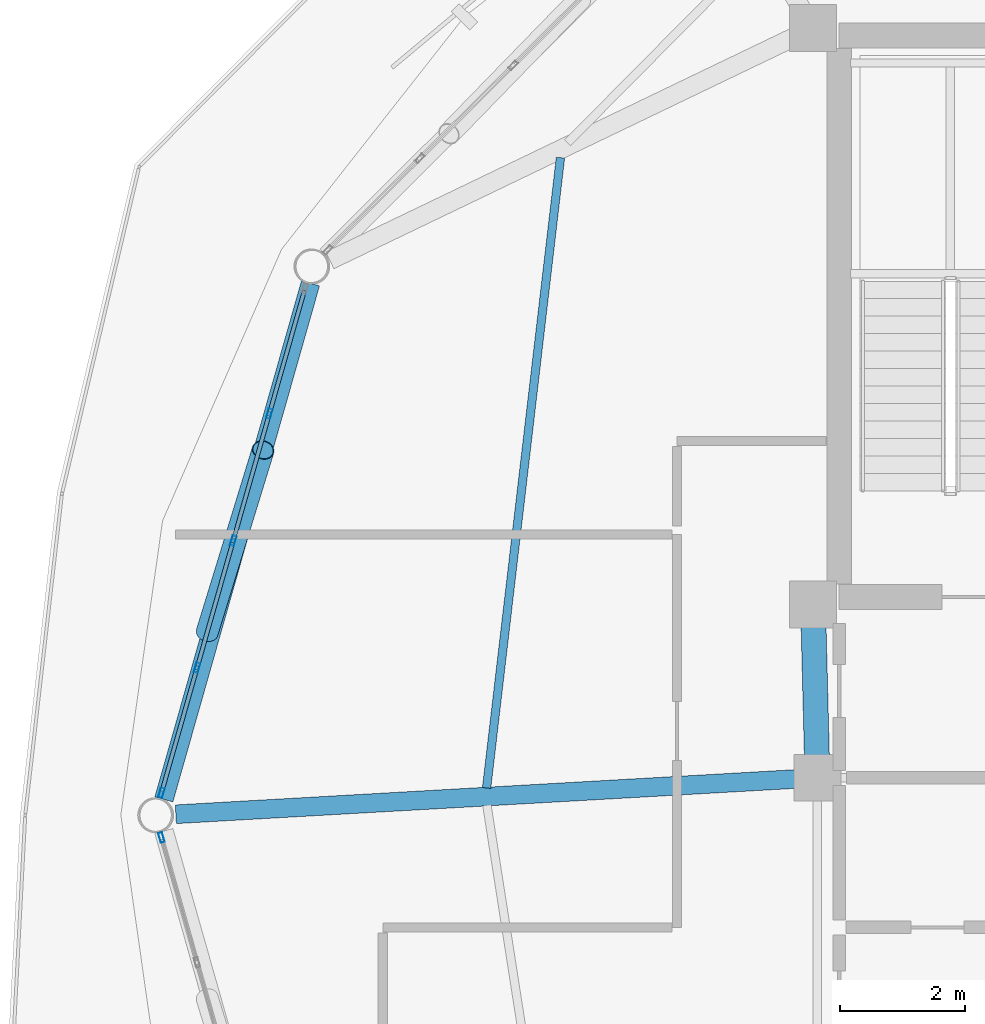
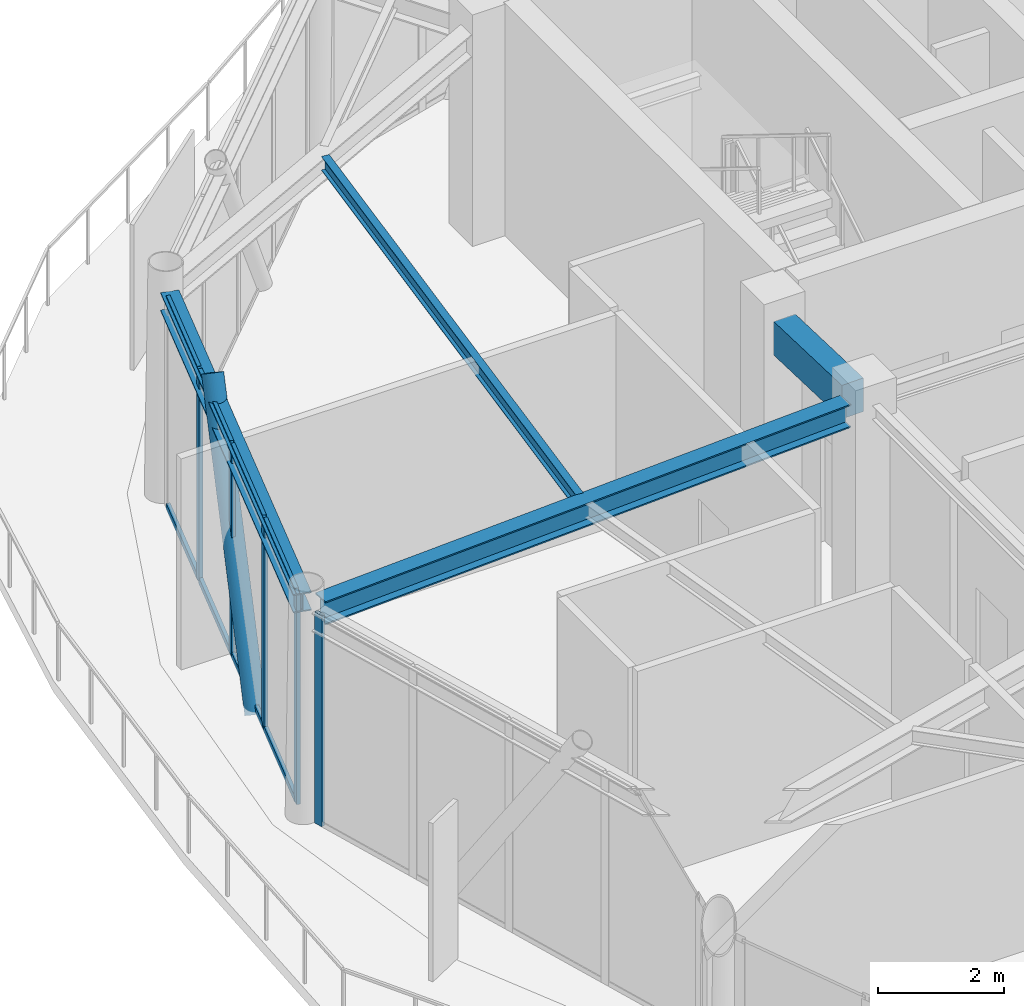
# One storey, part 10 of 24: 14 members, 4 beams, 2 elements without a shape of their own.
"""IFC4 building model written with IfcOpenShell, lengths in metres."""

from ifc_helpers import new_model, si_unit, direction, frame, origin, origin_2d, place, context, subcontext, project, spatial, rectangle, hollow_rectangle, hollow_circle, i_section, extrude, material, layer, layer_set, material_profile, profile_set, type_object, element, aggregate, save


model = new_model("IFC4")

# Units and contexts
model_context = context("Model", 3, precision=1e-05, world=origin(), true_north=direction((0.0, 1.0)))
body_context = subcontext(model_context, "Body", "Model", "MODEL_VIEW")
ifc_project = project(units=[si_unit("LENGTHUNIT", "METRE"), si_unit("AREAUNIT", "SQUARE_METRE"), si_unit("VOLUMEUNIT", "CUBIC_METRE"), si_unit("PLANEANGLEUNIT", "RADIAN"), si_unit("MASSUNIT", "GRAM", prefix="KILO")], contexts=[model_context])

# Site, building, storey
site_placement = place(None, origin())
site = spatial("IfcSite", under=ifc_project, at=site_placement, CompositionType="ELEMENT")
building_placement = place(site_placement, origin())
building = spatial("IfcBuilding", under=site, at=building_placement, Name="Varnakorn Sky Granary", CompositionType="ELEMENT")
storey_placement = place(building_placement, frame((0.0, 0.0, 285.0)))
storey = spatial("IfcBuildingStorey", under=building, at=storey_placement, Name="L73", CompositionType="ELEMENT", Elevation=285.0)

# Beams
ifc_material_1 = material(Name="Concrete C50/60", Category="concrete")
ifc_material_profile_1 = material_profile(ifc_material_1, rectangle(XDim=0.39990234375, YDim=0.64990234375, at=origin_2d()), Name="RC 400x650")
ifc_profile_set_1 = profile_set([ifc_material_profile_1], Name="Concrete C50/60")
beam_type_1 = type_object("IfcBeamType", Name="BM-LIN-650", PredefinedType="LINTEL", material=ifc_profile_set_1)
beam_1_placement = place(storey_placement, frame((-2.4111328125, 3.025146484375, 3.7548828125), z_axis=(0.025227817192, -0.999681727971, 0.0), x_axis=(0.999681727971, 0.025227817192, 0.0)))
element("IfcBeam", 1, at=beam_1_placement, inside=storey, type_object=beam_type_1, Name="Core Spine Framing Beam 1 L73", PredefinedType="LINTEL", context=body_context, shape_type="SweptSolid", body=[
    extrude(rectangle(XDim=0.39990234375, YDim=0.64990234375, at=origin_2d()), origin(), (0.0, 0.0, 1.0), 2.071044921875),
])
ifc_material_2 = material(Name="Steel S355JR", Category="steel")
ifc_material_profile_2 = material_profile(ifc_material_2, i_section(OverallWidth=0.300048828125, OverallDepth=0.449951171875, WebThickness=0.013916015625, FlangeThickness=0.02587890625, at=origin_2d()), Name="HE 450 B")
ifc_profile_set_2 = profile_set([ifc_material_profile_2], Name="Steel S355JR")
beam_type_2 = type_object("IfcBeamType", Name="BM-RAD-Z5", PredefinedType="BEAM", material=ifc_profile_set_2)
beam_2_placement = place(storey_placement, frame((-2.704345703125, 0.579833984375, 3.85498046875), z_axis=(-0.99838607831, -0.056791184494, 0.0), x_axis=(0.056791184494, -0.99838607831, 0.0)))
element("IfcBeam", 2, at=beam_2_placement, inside=storey, type_object=beam_type_2, Name="Radial Floor Girder RG07 L73", PredefinedType="BEAM", context=body_context, shape_type="SweptSolid", body=[
    extrude(i_section(OverallWidth=0.300048828125, OverallDepth=0.449951171875, WebThickness=0.013916015625, FlangeThickness=0.02587890625, at=origin_2d()), origin(), (0.0, 0.0, 1.0), 9.94775390625),
])
ifc_material_profile_3 = material_profile(ifc_material_2, i_section(OverallWidth=0.135009765625, OverallDepth=0.27001953125, WebThickness=0.006591796875, FlangeThickness=0.01025390625, at=origin_2d()), Name="IPE 270")
ifc_profile_set_3 = profile_set([ifc_material_profile_3], Name="Steel S355JR")
beam_type_3 = type_object("IfcBeamType", Name="BM-SEC-Z5", PredefinedType="BEAM", material=ifc_profile_set_3)
beam_3_placement = place(storey_placement, frame((-6.469482421875, 10.54248046875, 3.945068359375), z_axis=(-0.116391586071, -0.993203402477, 0.0), x_axis=(0.993203402477, -0.116391586071, 0.0)))
element("IfcBeam", 3, at=beam_3_placement, inside=storey, type_object=beam_type_3, Name="Secondary Floor Chord Beam MSB06 L73", PredefinedType="BEAM", context=body_context, shape_type="SweptSolid", body=[
    extrude(i_section(OverallWidth=0.135009765625, OverallDepth=0.27001953125, WebThickness=0.006591796875, FlangeThickness=0.01025390625, at=origin_2d()), origin(), (0.0, 0.0, 1.0), 10.17529296875),
])
ifc_material_profile_4 = material_profile(ifc_material_2, i_section(OverallWidth=0.300048828125, OverallDepth=0.360107421875, WebThickness=0.012451171875, FlangeThickness=0.0224609375, at=origin_2d()), Name="HE 360 B")
ifc_profile_set_4 = profile_set([ifc_material_profile_4], Name="Steel S355JR")
beam_type_4 = type_object("IfcBeamType", Name="BM-SPD-Z5", PredefinedType="SPANDREL", material=ifc_profile_set_4)
beam_4_placement = place(storey_placement, frame((-10.477294921875, 8.528076171875, 3.89990234375), z_axis=(-0.273262465219, -0.961939512185, 0.0), x_axis=(0.961939512185, -0.273262465219, 0.0)))
element("IfcBeam", 4, at=beam_4_placement, inside=storey, type_object=beam_type_4, Name="Perimeter Spandrel Ring Beam RB06 L73", PredefinedType="SPANDREL", context=body_context, shape_type="SweptSolid", body=[
    extrude(i_section(OverallWidth=0.300048828125, OverallDepth=0.360107421875, WebThickness=0.012451171875, FlangeThickness=0.0224609375, at=origin_2d()), origin(), (0.0, 0.0, 1.0), 8.60107421875),
])

# Curtain wall, members
ifc_material_3 = material(Name="Anodised Bronze Aluminium Alloy 6063-T6", Category="aluminium")
ifc_layer = layer(ifc_material_3, 0.159912109375, Name="Anodised Bronze Aluminium Alloy 6063-T6")
ifc_layer_set = layer_set([ifc_layer], Name="Anodised Bronze Aluminium Alloy 6063-T6")
curtain_wall_type = type_object("IfcCurtainWallType", Name="CW-OFF-1", PredefinedType="USERDEFINED", material=ifc_layer_set)
curtain_wall_1_placement = place(storey_placement, origin())
curtain_wall_1 = element("IfcCurtainWall", 5, at=curtain_wall_1_placement, inside=storey, type_object=curtain_wall_type, Name="Unitised Curtain Wall CW6 CW-L73-B06", ObjectType="CURTAIN WALL", PredefinedType="USERDEFINED")
ifc_material_profile_5 = material_profile(ifc_material_3, hollow_rectangle(XDim=0.06494140625, YDim=0.159912109375, WallThickness=0.00341796875, at=origin_2d()), Name="ALU MULL 65x160")
ifc_profile_set_5 = profile_set([ifc_material_profile_5], Name="Anodised Bronze Aluminium Alloy 6063-T6")
member_type_1 = type_object("IfcMemberType", Name="CW-OFF-1-MULL", PredefinedType="MULLION", material=ifc_profile_set_5)
member_1_placement = place(storey_placement, frame((-12.8662109375, 0.357666015625, 0.0), z_axis=(0.0, 0.0, 1.0), x_axis=(-0.96181256174, 0.273708962366, 0.0)))
member_1 = element("IfcMember", 6, at=member_1_placement, type_object=member_type_1, Name="CW6 mullion 1", PredefinedType="MULLION", context=body_context, shape_type="SweptSolid", body=[
    extrude(hollow_rectangle(XDim=0.06494140625, YDim=0.159912109375, WallThickness=0.00341796875, at=origin_2d()), origin(), (0.0, 0.0, 1.0), 4.080078125),
])
member_2_placement = place(storey_placement, frame((-12.29541015625, 2.363037109375, 0.0), z_axis=(0.0, 0.0, 1.0), x_axis=(-0.96181256174, 0.273708962366, 0.0)))
member_2 = element("IfcMember", 7, at=member_2_placement, type_object=member_type_1, Name="CW6 mullion 2", PredefinedType="MULLION", context=body_context, shape_type="SweptSolid", body=[
    extrude(hollow_rectangle(XDim=0.06494140625, YDim=0.159912109375, WallThickness=0.00341796875, at=origin_2d()), origin(), (0.0, 0.0, 1.0), 4.080078125),
])
member_3_placement = place(storey_placement, frame((-11.716064453125, 4.399658203125, 0.0), z_axis=(0.0, 0.0, 1.0), x_axis=(-0.96181256174, 0.273708962366, 0.0)))
member_3 = element("IfcMember", 8, at=member_3_placement, type_object=member_type_1, Name="CW6 mullion 3", PredefinedType="MULLION", context=body_context, shape_type="SweptSolid", body=[
    extrude(hollow_rectangle(XDim=0.06494140625, YDim=0.159912109375, WallThickness=0.00341796875, at=origin_2d()), origin(), (0.0, 0.0, 1.0), 4.080078125),
])
member_4_placement = place(storey_placement, frame((-11.136474609375, 6.436279296875, 0.0), z_axis=(0.0, 0.0, 1.0), x_axis=(-0.96181256174, 0.273708962366, 0.0)))
member_4 = element("IfcMember", 9, at=member_4_placement, type_object=member_type_1, Name="CW6 mullion 4", PredefinedType="MULLION", context=body_context, shape_type="SweptSolid", body=[
    extrude(hollow_rectangle(XDim=0.06494140625, YDim=0.159912109375, WallThickness=0.00341796875, at=origin_2d()), origin(), (0.0, 0.0, 1.0), 4.080078125),
])

# Curtain wall, member
curtain_wall_2_placement = place(storey_placement, origin())
curtain_wall_2 = element("IfcCurtainWall", 10, at=curtain_wall_2_placement, inside=storey, type_object=curtain_wall_type, Name="Unitised Curtain Wall CW6 CW-L73-B07", ObjectType="CURTAIN WALL", PredefinedType="USERDEFINED")
member_5_placement = place(storey_placement, frame((-12.8662109375, -0.357666015625, 0.0), z_axis=(0.0, 0.0, 1.0), x_axis=(-0.96181256174, -0.273708962366, 0.0)))
member_5 = element("IfcMember", 11, at=member_5_placement, type_object=member_type_1, Name="CW6 mullion 5", PredefinedType="MULLION", context=body_context, shape_type="SweptSolid", body=[
    extrude(hollow_rectangle(XDim=0.06494140625, YDim=0.159912109375, WallThickness=0.00341796875, at=origin_2d()), origin(), (0.0, 0.0, 1.0), 4.080078125),
])
aggregate(curtain_wall_2, [member_5])

# Member
ifc_material_profile_6 = material_profile(ifc_material_3, hollow_rectangle(XDim=0.06494140625, YDim=0.1201171875, WallThickness=0.00341796875, at=origin_2d()), Name="ALU TRAN 65x120")
ifc_profile_set_6 = profile_set([ifc_material_profile_6], Name="Anodised Bronze Aluminium Alloy 6063-T6")
member_type_2 = type_object("IfcMemberType", Name="CW-OFF-1-TRAN", PredefinedType="USERDEFINED", material=ifc_profile_set_6)
member_6_placement = place(storey_placement, frame((-12.857421875, 0.388916015625, 0.032470703125), z_axis=(0.273747268146, 0.961801660002, 0.0), x_axis=(-0.961801660002, 0.273747268146, 0.0)))
member_6 = element("IfcMember", 12, at=member_6_placement, type_object=member_type_2, Name="CW6 transom 1.1", ObjectType="TRANSOM", PredefinedType="USERDEFINED", context=body_context, shape_type="SweptSolid", body=[
    extrude(hollow_rectangle(XDim=0.06494140625, YDim=0.1201171875, WallThickness=0.00341796875, at=origin_2d()), origin(), (0.0, 0.0, 1.0), 2.02001953125),
])

member_7_placement = place(storey_placement, frame((-12.857421875, 0.388916015625, 4.047607421875), z_axis=(0.273747268146, 0.961801660002, 0.0), x_axis=(-0.961801660002, 0.273747268146, 0.0)))
member_7 = element("IfcMember", 13, at=member_7_placement, type_object=member_type_2, Name="CW6 transom 1.2", ObjectType="TRANSOM", PredefinedType="USERDEFINED", context=body_context, shape_type="SweptSolid", body=[
    extrude(hollow_rectangle(XDim=0.06494140625, YDim=0.1201171875, WallThickness=0.00341796875, at=origin_2d()), origin(), (0.0, 0.0, 1.0), 2.02001953125),
])

member_8_placement = place(storey_placement, frame((-12.28662109375, 2.394287109375, 0.032470703125), z_axis=(0.273699813873, 0.961815165136, 0.0), x_axis=(-0.961815165136, 0.273699813873, 0.0)))
member_8 = element("IfcMember", 14, at=member_8_placement, type_object=member_type_2, Name="CW6 transom 2.1", ObjectType="TRANSOM", PredefinedType="USERDEFINED", context=body_context, shape_type="SweptSolid", body=[
    extrude(hollow_rectangle(XDim=0.06494140625, YDim=0.1201171875, WallThickness=0.00341796875, at=origin_2d()), origin(), (0.0, 0.0, 1.0), 2.052490234375),
])

member_9_placement = place(storey_placement, frame((-12.28662109375, 2.394287109375, 4.047607421875), z_axis=(0.273699813873, 0.961815165136, 0.0), x_axis=(-0.961815165136, 0.273699813873, 0.0)))
member_9 = element("IfcMember", 15, at=member_9_placement, type_object=member_type_2, Name="CW6 transom 2.2", ObjectType="TRANSOM", PredefinedType="USERDEFINED", context=body_context, shape_type="SweptSolid", body=[
    extrude(hollow_rectangle(XDim=0.06494140625, YDim=0.1201171875, WallThickness=0.00341796875, at=origin_2d()), origin(), (0.0, 0.0, 1.0), 2.052490234375),
])

member_10_placement = place(storey_placement, frame((-11.70703125, 4.430908203125, 0.032470703125), z_axis=(0.273699813873, 0.961815165136, 0.0), x_axis=(-0.961815165136, 0.273699813873, 0.0)))
member_10 = element("IfcMember", 16, at=member_10_placement, type_object=member_type_2, Name="CW6 transom 3.1", ObjectType="TRANSOM", PredefinedType="USERDEFINED", context=body_context, shape_type="SweptSolid", body=[
    extrude(hollow_rectangle(XDim=0.06494140625, YDim=0.1201171875, WallThickness=0.00341796875, at=origin_2d()), origin(), (0.0, 0.0, 1.0), 2.052490234375),
])

member_11_placement = place(storey_placement, frame((-11.70703125, 4.430908203125, 4.047607421875), z_axis=(0.273699813873, 0.961815165136, 0.0), x_axis=(-0.961815165136, 0.273699813873, 0.0)))
member_11 = element("IfcMember", 17, at=member_11_placement, type_object=member_type_2, Name="CW6 transom 3.2", ObjectType="TRANSOM", PredefinedType="USERDEFINED", context=body_context, shape_type="SweptSolid", body=[
    extrude(hollow_rectangle(XDim=0.06494140625, YDim=0.1201171875, WallThickness=0.00341796875, at=origin_2d()), origin(), (0.0, 0.0, 1.0), 2.052490234375),
])

member_12_placement = place(storey_placement, frame((-11.12744140625, 6.467529296875, 0.032470703125), z_axis=(0.27363545981, 0.961833475782, 0.0), x_axis=(-0.961833475782, 0.27363545981, 0.0)))
member_12 = element("IfcMember", 18, at=member_12_placement, type_object=member_type_2, Name="CW6 transom 4.1", ObjectType="TRANSOM", PredefinedType="USERDEFINED", context=body_context, shape_type="SweptSolid", body=[
    extrude(hollow_rectangle(XDim=0.06494140625, YDim=0.1201171875, WallThickness=0.00341796875, at=origin_2d()), origin(), (0.0, 0.0, 1.0), 2.02001953125),
])

member_13_placement = place(storey_placement, frame((-11.12744140625, 6.467529296875, 4.047607421875), z_axis=(0.27363545981, 0.961833475782, 0.0), x_axis=(-0.961833475782, 0.27363545981, 0.0)))
member_13 = element("IfcMember", 19, at=member_13_placement, type_object=member_type_2, Name="CW6 transom 4.2", ObjectType="TRANSOM", PredefinedType="USERDEFINED", context=body_context, shape_type="SweptSolid", body=[
    extrude(hollow_rectangle(XDim=0.06494140625, YDim=0.1201171875, WallThickness=0.00341796875, at=origin_2d()), origin(), (0.0, 0.0, 1.0), 2.02001953125),
])

aggregate(curtain_wall_1, [member_1, member_2, member_3, member_4, member_6, member_7, member_8, member_9, member_10, member_11, member_12, member_13])

ifc_material_4 = material(Name="Steel S460M", Category="steel")
ifc_material_profile_7 = material_profile(ifc_material_4, hollow_circle(Radius=0.177734375, WallThickness=0.01416015625, at=origin_2d()), Name="CHS 355.6x14")
ifc_profile_set_7 = profile_set([ifc_material_profile_7], Name="Steel S460M")
member_type_3 = type_object("IfcMemberType", Name="MB-DIAG-T5", PredefinedType="BRACE", material=ifc_profile_set_7)
member_14_placement = place(storey_placement, frame((-12.13330078125, 2.93310546875, -0.1298828125), z_axis=(0.164307591765, 0.535521039828, 0.828384108484), x_axis=(-0.956013596625, 0.29332235351, 0.0)))
element("IfcMember", 20, at=member_14_placement, inside=storey, type_object=member_type_3, Name="Perimeter CHS Diagrid Brace DG06 L73", PredefinedType="BRACE", context=body_context, shape_type="SweptSolid", body=[
    extrude(hollow_circle(Radius=0.177734375, WallThickness=0.01416015625, at=origin_2d()), origin(), (0.0, 0.0, 1.0), 5.4560546875),
])

save(model, "model.ifc")
